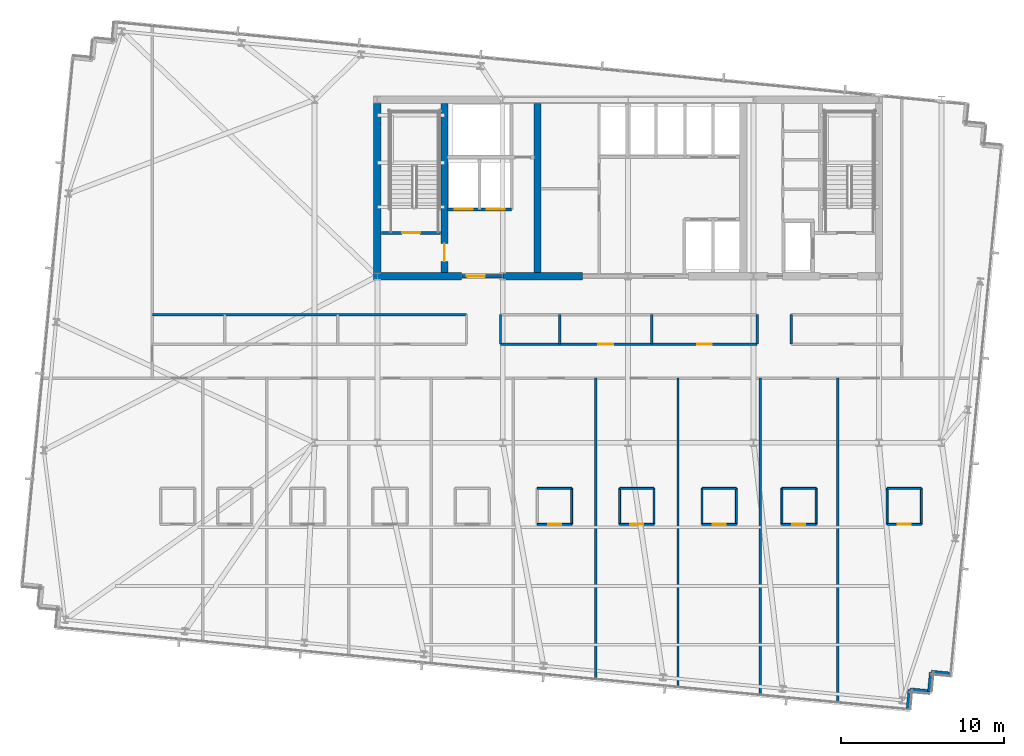
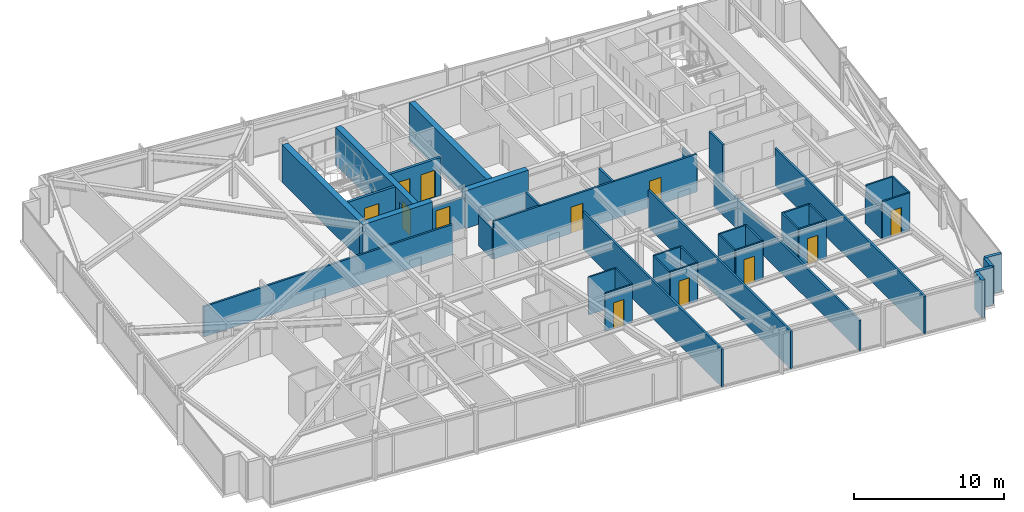
# One storey, part 30 of 37: 42 walls, 12 doors, 12 openings.
"""IFC4 building model written with IfcOpenShell, lengths in metres."""

from ifc_helpers import new_model, si_unit, direction, frame, frame_2d, origin, place, context, subcontext, project, spatial, rectangle, extrude, material, layer, layer_set, type_object, element, fill, save


model = new_model("IFC4")

# Units and contexts
model_context = context("Model", 3, precision=1e-05, world=origin(), true_north=direction((0.0, 1.0)))
body_context = subcontext(model_context, "Body", "Model", "MODEL_VIEW")
ifc_project = project(units=[si_unit("LENGTHUNIT", "METRE"), si_unit("AREAUNIT", "SQUARE_METRE"), si_unit("VOLUMEUNIT", "CUBIC_METRE"), si_unit("PLANEANGLEUNIT", "RADIAN"), si_unit("MASSUNIT", "GRAM", prefix="KILO")], contexts=[model_context])

# Site, building, storey
site_placement = place(None, origin())
site = spatial("IfcSite", under=ifc_project, at=site_placement, CompositionType="ELEMENT")
building_placement = place(site_placement, origin())
building = spatial("IfcBuilding", under=site, at=building_placement, Name="Yelkora Congress Tower", CompositionType="ELEMENT")
storey_placement = place(building_placement, frame((0.0, 0.0, 182.0)))
storey = spatial("IfcBuildingStorey", under=building, at=storey_placement, Name="L50", CompositionType="ELEMENT", Elevation=182.0)

# Walls
ifc_material_1 = material(Name="Concrete C60/75", Category="concrete")
ifc_layer_1 = layer(ifc_material_1, 0.449951171875)
ifc_layer_set_1 = layer_set([ifc_layer_1], Name="Concrete C60/75")
wall_type_1 = type_object("IfcWallType", Name="WALL-CORE-INT-450", PredefinedType="SHEAR", material=ifc_layer_set_1)
wall_1_placement = place(storey_placement, frame((22.81494140625, 35.39990234375, 0.0), z_axis=(0.0, 0.0, 1.0), x_axis=(1.0, 0.0, 0.0)))
element("IfcWall", 1, at=wall_1_placement, inside=storey, type_object=wall_type_1, Name="L50 Rear Core South-West Shear Wall", PredefinedType="SHEAR", context=body_context, shape_type="SweptSolid", body=[
    extrude(rectangle(XDim=5.385009765625, YDim=0.449951171875, at=frame_2d((2.6923828125, 0.0))), origin(), (0.0, 0.0, 1.0), 3.080078125),
])
wall_2_placement = place(storey_placement, frame((30.719970703125, 35.39990234375, 0.0), z_axis=(0.0, 0.0, 1.0), x_axis=(1.0, 0.0, 0.0)))
element("IfcWall", 2, at=wall_2_placement, inside=storey, type_object=wall_type_1, Name="L50 Rear Core South-Center Shear Pier", PredefinedType="SHEAR", context=body_context, shape_type="SweptSolid", body=[
    extrude(rectangle(XDim=4.880126953125, YDim=0.449951171875, at=frame_2d((2.43994140625, 0.0))), origin(), (0.0, 0.0, 1.0), 3.080078125),
])
wall_3_placement = place(storey_placement, frame((23.0400390625, 35.625, 0.0), z_axis=(0.0, 0.0, 1.0), x_axis=(0.0, 1.0, 0.0)))
element("IfcWall", 3, at=wall_3_placement, inside=storey, type_object=wall_type_1, Name="L50 Rear Core Cross Shear Wall W", PredefinedType="SHEAR", context=body_context, shape_type="SweptSolid", body=[
    extrude(rectangle(XDim=10.35009765625, YDim=0.449951171875, at=frame_2d((5.175048828125, 0.0))), origin(), (0.0, 0.0, 1.0), 3.080078125),
])

# Wall, opening, door
wall_4_placement = place(storey_placement, frame((27.14990234375, 35.625, 0.0), z_axis=(0.0, 0.0, 1.0), x_axis=(0.0, 1.0, 0.0)))
wall_4 = element("IfcWall", 4, at=wall_4_placement, inside=storey, type_object=wall_type_1, Name="L50 Rear Core Cross Shear Wall C1", PredefinedType="SHEAR", context=body_context, shape_type="SweptSolid", body=[
    extrude(rectangle(XDim=10.35009765625, YDim=0.449951171875, at=frame_2d((5.175048828125, 0.0))), origin(), (0.0, 0.0, 1.0), 3.080078125),
])
opening_1_placement = place(wall_4_placement, frame((0.675048828125, 0.0, 0.0)))
opening_1 = element("IfcOpeningElement", 5, at=opening_1_placement, cuts=wall_4, Name="Opening DR-110F9", PredefinedType="OPENING", context=body_context, shape_type="SweptSolid", body=[
    extrude(rectangle(XDim=1.10009765625, YDim=2.14990234375, at=frame_2d((0.550048828125, 1.074951171875))), frame((0.0, 0.23486328125, 0.0), z_axis=(0.0, -1.0, 0.0), x_axis=(1.0, 0.0, 0.0)), (0.0, 0.0, 1.0), 0.469970703125),
])
ifc_material_2 = material(Name="Galvanised steel fire door leaf", Category="steel")
door_type_1 = type_object("IfcDoorType", Name="DOOR-FD90-1100", OperationType="NOTDEFINED", PredefinedType="DOOR", material=ifc_material_2)
door_1_placement = place(opening_1_placement, origin())
door_1 = element("IfcDoor", 6, at=door_1_placement, inside=storey, type_object=door_type_1, Name="L50 Firefighting Stair Transfer Door", OperationType="SINGLE_SWING_LEFT", OverallHeight=2.14990234375, OverallWidth=1.10009765625, PredefinedType="DOOR", context=body_context, shape_type="SweptSolid", body=[
    extrude(rectangle(XDim=1.10009765625, YDim=2.14990234375, at=frame_2d((0.550048828125, 1.074951171875))), frame((0.0, 0.02490234375, 0.0), z_axis=(0.0, -1.0, 0.0), x_axis=(1.0, 0.0, 0.0)), (0.0, 0.0, 1.0), 0.050048828125),
])
fill(opening_1, door_1)

# Walls
wall_5_placement = place(storey_placement, frame((32.85009765625, 35.625, 0.0), z_axis=(0.0, 0.0, 1.0), x_axis=(0.0, 1.0, 0.0)))
element("IfcWall", 7, at=wall_5_placement, inside=storey, type_object=wall_type_1, Name="L50 Rear Core Cross Shear Wall C2", PredefinedType="SHEAR", context=body_context, shape_type="SweptSolid", body=[
    extrude(rectangle(XDim=10.35009765625, YDim=0.449951171875, at=frame_2d((5.175048828125, 0.0))), origin(), (0.0, 0.0, 1.0), 3.080078125),
])
ifc_material_3 = material(Name="Concrete C40/50", Category="concrete")
ifc_layer_2 = layer(ifc_material_3, 0.239990234375)
ifc_layer_set_2 = layer_set([ifc_layer_2], Name="Concrete C40/50")
wall_type_2 = type_object("IfcWallType", Name="WALL-EXT-LIMESTONE-240", PredefinedType="SOLIDWALL", material=ifc_layer_set_2)
wall_6_placement = place(storey_placement, frame((58.160400390625, 11.033203125, 0.0), z_axis=(0.0, 0.0, 1.0), x_axis=(-0.995398960025, 0.095817067274, 0.0)))
element("IfcWall", 8, at=wall_6_placement, inside=storey, type_object=wall_type_2, Name="L50 Serrated Corner Limestone Pier 16", PredefinedType="SOLIDWALL", context=body_context, shape_type="SweptSolid", body=[
    extrude(rectangle(XDim=1.2001953125, YDim=0.239990234375, at=frame_2d((0.60009765625, 0.0))), origin(), (0.0, 0.0, 1.0), 3.080078125),
])
for number, where, z_axis, x_axis, name in (
    (9, (56.9658203125, 11.148193359375, 0.0), (0.0, 0.0, 1.0), (-0.095836473879, -0.995397091755, 0.0), "L50 Serrated Corner Limestone Pier 17"),
    (10, (56.850830078125, 9.953857421875, 0.0), (0.0, 0.0, 1.0), (-0.995397091755, 0.095836473879, 0.0), "L50 Serrated Corner Limestone Pier 18"),
):
    element("IfcWall", number, at=place(storey_placement, frame(where, z_axis=z_axis, x_axis=x_axis)), inside=storey, type_object=wall_type_2, Name=name, PredefinedType="SOLIDWALL", context=body_context, shape_type="SweptSolid", body=[
        extrude(rectangle(XDim=1.199951171875, YDim=0.239990234375, at=frame_2d((0.60009765625, 0.0))), origin(), (0.0, 0.0, 1.0), 3.080078125),
    ])
wall_7_placement = place(storey_placement, frame((55.656494140625, 10.06884765625, 0.0), z_axis=(0.0, 0.0, 1.0), x_axis=(-0.095817067274, -0.995398960025, 0.0)))
element("IfcWall", 11, at=wall_7_placement, inside=storey, type_object=wall_type_2, Name="L50 Serrated Corner Limestone Pier 19", PredefinedType="SOLIDWALL", context=body_context, shape_type="SweptSolid", body=[
    extrude(rectangle(XDim=1.2001953125, YDim=0.239990234375, at=frame_2d((0.60009765625, 0.0))), origin(), (0.0, 0.0, 1.0), 3.080078125),
])
ifc_material_4 = material(Name="Moisture-resistant gypsum partition", Category="gypsum")
ifc_layer_3 = layer(ifc_material_4, 0.1201171875)
ifc_layer_set_3 = layer_set([ifc_layer_3], Name="Moisture-resistant gypsum partition")
wall_type_3 = type_object("IfcWallType", Name="WALL-INT-120-NR", PredefinedType="PARTITIONING", material=ifc_layer_set_3)
wall_8_placement = place(storey_placement, frame((32.842041015625, 22.39990234375, 0.0), z_axis=(0.0, 0.0, 1.0), x_axis=(1.0, 0.0, 0.0)))
element("IfcWall", 12, at=wall_8_placement, inside=storey, type_object=wall_type_3, Name="L50 Partition Wall 52", PredefinedType="PARTITIONING", context=body_context, shape_type="SweptSolid", body=[
    extrude(rectangle(XDim=2.099853515625, YDim=0.1201171875, at=frame_2d((1.0498046875, 0.0))), origin(), (0.0, 0.0, 1.0), 3.080078125),
])
wall_9_placement = place(storey_placement, frame((34.94189453125, 20.199951171875, 0.0), z_axis=(0.0, 0.0, 1.0), x_axis=(0.0, 1.0, 0.0)))
element("IfcWall", 13, at=wall_9_placement, inside=storey, type_object=wall_type_3, Name="L50 Partition Wall 54", PredefinedType="PARTITIONING", context=body_context, shape_type="SweptSolid", body=[
    extrude(rectangle(XDim=2.199951171875, YDim=0.1201171875, at=frame_2d((1.10009765625, 0.0))), origin(), (0.0, 0.0, 1.0), 3.080078125),
])

# Wall, opening, door
wall_10_placement = place(storey_placement, frame((32.842041015625, 20.199951171875, 0.0), z_axis=(0.0, 0.0, 1.0), x_axis=(1.0, 0.0, 0.0)))
wall_10 = element("IfcWall", 14, at=wall_10_placement, inside=storey, type_object=wall_type_3, Name="L50 Partition Wall 55", PredefinedType="PARTITIONING", context=body_context, shape_type="SweptSolid", body=[
    extrude(rectangle(XDim=2.099853515625, YDim=0.1201171875, at=frame_2d((1.0498046875, 0.0))), origin(), (0.0, 0.0, 1.0), 3.080078125),
])
opening_2_placement = place(wall_10_placement, frame((0.64990234375, 0.0, 0.0)))
opening_2 = element("IfcOpeningElement", 15, at=opening_2_placement, cuts=wall_10, Name="Opening DR-080B", PredefinedType="OPENING", context=body_context, shape_type="SweptSolid", body=[
    extrude(rectangle(XDim=0.800048828125, YDim=2.10009765625, at=frame_2d((0.39990234375, 1.050048828125))), frame((0.0, 0.070068359375, 0.0), z_axis=(0.0, -1.0, 0.0), x_axis=(1.0, 0.0, 0.0)), (0.0, 0.0, 1.0), 0.14013671875),
])
ifc_material_5 = material(Name="Moisture-sealed en-suite timber door", Category="wood")
door_type_2 = type_object("IfcDoorType", Name="DOOR-BATH-800", OperationType="NOTDEFINED", PredefinedType="DOOR", material=ifc_material_5)
door_2_placement = place(opening_2_placement, origin())
door_2 = element("IfcDoor", 16, at=door_2_placement, inside=storey, type_object=door_type_2, Name="L50 En-suite Door 6", OperationType="SINGLE_SWING_LEFT", OverallHeight=2.10009765625, OverallWidth=0.800048828125, PredefinedType="DOOR", context=body_context, shape_type="SweptSolid", body=[
    extrude(rectangle(XDim=0.800048828125, YDim=2.10009765625, at=frame_2d((0.39990234375, 1.050048828125))), frame((0.0, 0.02490234375, 0.0), z_axis=(0.0, -1.0, 0.0), x_axis=(1.0, 0.0, 0.0)), (0.0, 0.0, 1.0), 0.050048828125),
])
fill(opening_2, door_2)

# Walls
wall_11_placement = place(storey_placement, frame((37.883056640625, 22.39990234375, 0.0), z_axis=(0.0, 0.0, 1.0), x_axis=(1.0, 0.0, 0.0)))
element("IfcWall", 17, at=wall_11_placement, inside=storey, type_object=wall_type_3, Name="L50 Partition Wall 57", PredefinedType="PARTITIONING", context=body_context, shape_type="SweptSolid", body=[
    extrude(rectangle(XDim=2.099853515625, YDim=0.1201171875, at=frame_2d((1.0498046875, 0.0))), origin(), (0.0, 0.0, 1.0), 3.080078125),
])
for number, where, z_axis, x_axis, name in (
    (18, (37.883056640625, 20.199951171875, 0.0), (0.0, 0.0, 1.0), (0.0, 1.0, 0.0), "L50 Partition Wall 58"),
    (19, (39.98291015625, 20.199951171875, 0.0), (0.0, 0.0, 1.0), (0.0, 1.0, 0.0), "L50 Partition Wall 59"),
):
    element("IfcWall", number, at=place(storey_placement, frame(where, z_axis=z_axis, x_axis=x_axis)), inside=storey, type_object=wall_type_3, Name=name, PredefinedType="PARTITIONING", context=body_context, shape_type="SweptSolid", body=[
        extrude(rectangle(XDim=2.199951171875, YDim=0.1201171875, at=frame_2d((1.10009765625, 0.0))), origin(), (0.0, 0.0, 1.0), 3.080078125),
    ])

# Wall, opening, door
wall_12_placement = place(storey_placement, frame((37.883056640625, 20.199951171875, 0.0), z_axis=(0.0, 0.0, 1.0), x_axis=(1.0, 0.0, 0.0)))
wall_12 = element("IfcWall", 20, at=wall_12_placement, inside=storey, type_object=wall_type_3, Name="L50 Partition Wall 60", PredefinedType="PARTITIONING", context=body_context, shape_type="SweptSolid", body=[
    extrude(rectangle(XDim=2.099853515625, YDim=0.1201171875, at=frame_2d((1.0498046875, 0.0))), origin(), (0.0, 0.0, 1.0), 3.080078125),
])
opening_3_placement = place(wall_12_placement, frame((0.64990234375, 0.0, 0.0)))
opening_3 = element("IfcOpeningElement", 21, at=opening_3_placement, cuts=wall_12, Name="Opening DR-080B", PredefinedType="OPENING", context=body_context, shape_type="SweptSolid", body=[
    extrude(rectangle(XDim=0.800048828125, YDim=2.10009765625, at=frame_2d((0.39990234375, 1.050048828125))), frame((0.0, 0.070068359375, 0.0), z_axis=(0.0, -1.0, 0.0), x_axis=(1.0, 0.0, 0.0)), (0.0, 0.0, 1.0), 0.14013671875),
])
door_3_placement = place(opening_3_placement, origin())
door_3 = element("IfcDoor", 22, at=door_3_placement, inside=storey, type_object=door_type_2, Name="L50 En-suite Door 7", OperationType="SINGLE_SWING_RIGHT", OverallHeight=2.10009765625, OverallWidth=0.800048828125, PredefinedType="DOOR", context=body_context, shape_type="SweptSolid", body=[
    extrude(rectangle(XDim=0.800048828125, YDim=2.10009765625, at=frame_2d((0.39990234375, 1.050048828125))), frame((0.0, 0.02490234375, 0.0), z_axis=(0.0, -1.0, 0.0), x_axis=(1.0, 0.0, 0.0)), (0.0, 0.0, 1.0), 0.050048828125),
])
fill(opening_3, door_3)

# Walls
wall_13_placement = place(storey_placement, frame((42.924072265625, 22.39990234375, 0.0), z_axis=(0.0, 0.0, 1.0), x_axis=(1.0, 0.0, 0.0)))
element("IfcWall", 23, at=wall_13_placement, inside=storey, type_object=wall_type_3, Name="L50 Partition Wall 62", PredefinedType="PARTITIONING", context=body_context, shape_type="SweptSolid", body=[
    extrude(rectangle(XDim=2.099853515625, YDim=0.1201171875, at=frame_2d((1.0498046875, 0.0))), origin(), (0.0, 0.0, 1.0), 3.080078125),
])
for number, where, z_axis, x_axis, name in (
    (24, (42.924072265625, 20.199951171875, 0.0), (0.0, 0.0, 1.0), (0.0, 1.0, 0.0), "L50 Partition Wall 63"),
    (25, (45.02392578125, 20.199951171875, 0.0), (0.0, 0.0, 1.0), (0.0, 1.0, 0.0), "L50 Partition Wall 64"),
):
    element("IfcWall", number, at=place(storey_placement, frame(where, z_axis=z_axis, x_axis=x_axis)), inside=storey, type_object=wall_type_3, Name=name, PredefinedType="PARTITIONING", context=body_context, shape_type="SweptSolid", body=[
        extrude(rectangle(XDim=2.199951171875, YDim=0.1201171875, at=frame_2d((1.10009765625, 0.0))), origin(), (0.0, 0.0, 1.0), 3.080078125),
    ])

# Wall, opening, door
wall_14_placement = place(storey_placement, frame((42.924072265625, 20.199951171875, 0.0), z_axis=(0.0, 0.0, 1.0), x_axis=(1.0, 0.0, 0.0)))
wall_14 = element("IfcWall", 26, at=wall_14_placement, inside=storey, type_object=wall_type_3, Name="L50 Partition Wall 65", PredefinedType="PARTITIONING", context=body_context, shape_type="SweptSolid", body=[
    extrude(rectangle(XDim=2.099853515625, YDim=0.1201171875, at=frame_2d((1.0498046875, 0.0))), origin(), (0.0, 0.0, 1.0), 3.080078125),
])
opening_4_placement = place(wall_14_placement, frame((0.64990234375, 0.0, 0.0)))
opening_4 = element("IfcOpeningElement", 27, at=opening_4_placement, cuts=wall_14, Name="Opening DR-080B", PredefinedType="OPENING", context=body_context, shape_type="SweptSolid", body=[
    extrude(rectangle(XDim=0.800048828125, YDim=2.10009765625, at=frame_2d((0.39990234375, 1.050048828125))), frame((0.0, 0.070068359375, 0.0), z_axis=(0.0, -1.0, 0.0), x_axis=(1.0, 0.0, 0.0)), (0.0, 0.0, 1.0), 0.14013671875),
])
door_4_placement = place(opening_4_placement, origin())
door_4 = element("IfcDoor", 28, at=door_4_placement, inside=storey, type_object=door_type_2, Name="L50 En-suite Door 8", OperationType="SINGLE_SWING_LEFT", OverallHeight=2.10009765625, OverallWidth=0.800048828125, PredefinedType="DOOR", context=body_context, shape_type="SweptSolid", body=[
    extrude(rectangle(XDim=0.800048828125, YDim=2.10009765625, at=frame_2d((0.39990234375, 1.050048828125))), frame((0.0, 0.02490234375, 0.0), z_axis=(0.0, -1.0, 0.0), x_axis=(1.0, 0.0, 0.0)), (0.0, 0.0, 1.0), 0.050048828125),
])
fill(opening_4, door_4)

# Walls
wall_15_placement = place(storey_placement, frame((47.81201171875, 22.39990234375, 0.0), z_axis=(0.0, 0.0, 1.0), x_axis=(1.0, 0.0, 0.0)))
element("IfcWall", 29, at=wall_15_placement, inside=storey, type_object=wall_type_3, Name="L50 Partition Wall 67", PredefinedType="PARTITIONING", context=body_context, shape_type="SweptSolid", body=[
    extrude(rectangle(XDim=2.10009765625, YDim=0.1201171875, at=frame_2d((1.050048828125, 0.0))), origin(), (0.0, 0.0, 1.0), 3.080078125),
])
for number, where, z_axis, x_axis, name in (
    (30, (47.81201171875, 20.199951171875, 0.0), (0.0, 0.0, 1.0), (0.0, 1.0, 0.0), "L50 Partition Wall 68"),
    (31, (49.912109375, 20.199951171875, 0.0), (0.0, 0.0, 1.0), (0.0, 1.0, 0.0), "L50 Partition Wall 69"),
):
    element("IfcWall", number, at=place(storey_placement, frame(where, z_axis=z_axis, x_axis=x_axis)), inside=storey, type_object=wall_type_3, Name=name, PredefinedType="PARTITIONING", context=body_context, shape_type="SweptSolid", body=[
        extrude(rectangle(XDim=2.199951171875, YDim=0.1201171875, at=frame_2d((1.10009765625, 0.0))), origin(), (0.0, 0.0, 1.0), 3.080078125),
    ])

# Wall, opening, door
wall_16_placement = place(storey_placement, frame((47.81201171875, 20.199951171875, 0.0), z_axis=(0.0, 0.0, 1.0), x_axis=(1.0, 0.0, 0.0)))
wall_16 = element("IfcWall", 32, at=wall_16_placement, inside=storey, type_object=wall_type_3, Name="L50 Partition Wall 70", PredefinedType="PARTITIONING", context=body_context, shape_type="SweptSolid", body=[
    extrude(rectangle(XDim=2.10009765625, YDim=0.1201171875, at=frame_2d((1.050048828125, 0.0))), origin(), (0.0, 0.0, 1.0), 3.080078125),
])
opening_5_placement = place(wall_16_placement, frame((0.64990234375, 0.0, 0.0)))
opening_5 = element("IfcOpeningElement", 33, at=opening_5_placement, cuts=wall_16, Name="Opening DR-080B", PredefinedType="OPENING", context=body_context, shape_type="SweptSolid", body=[
    extrude(rectangle(XDim=0.800048828125, YDim=2.10009765625, at=frame_2d((0.39990234375, 1.050048828125))), frame((0.0, 0.070068359375, 0.0), z_axis=(0.0, -1.0, 0.0), x_axis=(1.0, 0.0, 0.0)), (0.0, 0.0, 1.0), 0.14013671875),
])
door_5_placement = place(opening_5_placement, origin())
door_5 = element("IfcDoor", 34, at=door_5_placement, inside=storey, type_object=door_type_2, Name="L50 En-suite Door 9", OperationType="SINGLE_SWING_RIGHT", OverallHeight=2.10009765625, OverallWidth=0.800048828125, PredefinedType="DOOR", context=body_context, shape_type="SweptSolid", body=[
    extrude(rectangle(XDim=0.800048828125, YDim=2.10009765625, at=frame_2d((0.39990234375, 1.050048828125))), frame((0.0, 0.02490234375, 0.0), z_axis=(0.0, -1.0, 0.0), x_axis=(1.0, 0.0, 0.0)), (0.0, 0.0, 1.0), 0.050048828125),
])
fill(opening_5, door_5)

# Walls
wall_17_placement = place(storey_placement, frame((54.260009765625, 22.39990234375, 0.0), z_axis=(0.0, 0.0, 1.0), x_axis=(1.0, 0.0, 0.0)))
element("IfcWall", 35, at=wall_17_placement, inside=storey, type_object=wall_type_3, Name="L50 Partition Wall 72", PredefinedType="PARTITIONING", context=body_context, shape_type="SweptSolid", body=[
    extrude(rectangle(XDim=2.10009765625, YDim=0.1201171875, at=frame_2d((1.050048828125, 0.0))), origin(), (0.0, 0.0, 1.0), 3.080078125),
])
wall_18_placement = place(storey_placement, frame((54.260009765625, 20.199951171875, 0.0), z_axis=(0.0, 0.0, 1.0), x_axis=(0.0, 1.0, 0.0)))
element("IfcWall", 36, at=wall_18_placement, inside=storey, type_object=wall_type_3, Name="L50 Partition Wall 73", PredefinedType="PARTITIONING", context=body_context, shape_type="SweptSolid", body=[
    extrude(rectangle(XDim=2.199951171875, YDim=0.1201171875, at=frame_2d((1.10009765625, 0.0))), origin(), (0.0, 0.0, 1.0), 2.47509765625),
])
wall_19_placement = place(storey_placement, frame((56.360107421875, 20.199951171875, 0.0), z_axis=(0.0, 0.0, 1.0), x_axis=(0.0, 1.0, 0.0)))
element("IfcWall", 37, at=wall_19_placement, inside=storey, type_object=wall_type_3, Name="L50 Partition Wall 74", PredefinedType="PARTITIONING", context=body_context, shape_type="SweptSolid", body=[
    extrude(rectangle(XDim=2.199951171875, YDim=0.1201171875, at=frame_2d((1.10009765625, 0.0))), origin(), (0.0, 0.0, 1.0), 3.080078125),
])

# Wall, opening, door
wall_20_placement = place(storey_placement, frame((54.260009765625, 20.199951171875, 0.0), z_axis=(0.0, 0.0, 1.0), x_axis=(1.0, 0.0, 0.0)))
wall_20 = element("IfcWall", 38, at=wall_20_placement, inside=storey, type_object=wall_type_3, Name="L50 Partition Wall 75", PredefinedType="PARTITIONING", context=body_context, shape_type="SweptSolid", body=[
    extrude(rectangle(XDim=2.10009765625, YDim=0.1201171875, at=frame_2d((1.050048828125, 0.0))), origin(), (0.0, 0.0, 1.0), 3.080078125),
])
opening_6_placement = place(wall_20_placement, frame((0.64990234375, 0.0, 0.0)))
opening_6 = element("IfcOpeningElement", 39, at=opening_6_placement, cuts=wall_20, Name="Opening DR-080B", PredefinedType="OPENING", context=body_context, shape_type="SweptSolid", body=[
    extrude(rectangle(XDim=0.800048828125, YDim=2.10009765625, at=frame_2d((0.39990234375, 1.050048828125))), frame((0.0, 0.070068359375, 0.0), z_axis=(0.0, -1.0, 0.0), x_axis=(1.0, 0.0, 0.0)), (0.0, 0.0, 1.0), 0.14013671875),
])
door_6_placement = place(opening_6_placement, origin())
door_6 = element("IfcDoor", 40, at=door_6_placement, inside=storey, type_object=door_type_2, Name="L50 En-suite Door 10", OperationType="SINGLE_SWING_LEFT", OverallHeight=2.10009765625, OverallWidth=0.800048828125, PredefinedType="DOOR", context=body_context, shape_type="SweptSolid", body=[
    extrude(rectangle(XDim=0.800048828125, YDim=2.10009765625, at=frame_2d((0.39990234375, 1.050048828125))), frame((0.0, 0.02490234375, 0.0), z_axis=(0.0, -1.0, 0.0), x_axis=(1.0, 0.0, 0.0)), (0.0, 0.0, 1.0), 0.050048828125),
])
fill(opening_6, door_6)

# Walls
ifc_material_6 = material(Name="Acoustic metal-stud gypsum partition", Category="gypsum")
ifc_layer_4 = layer(ifc_material_6, 0.14990234375)
ifc_layer_set_4 = layer_set([ifc_layer_4], Name="Acoustic metal-stud gypsum partition")
wall_type_4 = type_object("IfcWallType", Name="WALL-INT-150-NR", PredefinedType="PARTITIONING", material=ifc_layer_set_4)
for number, where, z_axis, x_axis, name in (
    (41, (30.580078125, 31.22998046875, 0.0), (0.0, 0.0, 1.0), (0.0, 1.0, 0.0), "L50 Partition Wall 81"),
    (42, (46.300048828125, 31.22998046875, 0.0), (0.0, 0.0, 1.0), (0.0, 1.0, 0.0), "L50 Partition Wall 82"),
):
    element("IfcWall", number, at=place(storey_placement, frame(where, z_axis=z_axis, x_axis=x_axis)), inside=storey, type_object=wall_type_4, Name=name, PredefinedType="PARTITIONING", context=body_context, shape_type="SweptSolid", body=[
        extrude(rectangle(XDim=1.820068359375, YDim=0.14990234375, at=frame_2d((0.91015625, 0.0))), origin(), (0.0, 0.0, 1.0), 2.47509765625),
    ])
wall_21_placement = place(storey_placement, frame((48.3798828125, 31.22998046875, 0.0), z_axis=(0.0, 0.0, 1.0), x_axis=(0.0, 1.0, 0.0)))
element("IfcWall", 43, at=wall_21_placement, inside=storey, type_object=wall_type_4, Name="L50 Partition Wall 83", PredefinedType="PARTITIONING", context=body_context, shape_type="SweptSolid", body=[
    extrude(rectangle(XDim=1.820068359375, YDim=0.14990234375, at=frame_2d((0.91015625, 0.0))), origin(), (0.0, 0.0, 1.0), 3.080078125),
])
wall_22_placement = place(storey_placement, frame((9.260009765625, 33.050048828125, 0.0), z_axis=(0.0, 0.0, 1.0), x_axis=(1.0, 0.0, 0.0)))
element("IfcWall", 44, at=wall_22_placement, inside=storey, type_object=wall_type_4, Name="L50 Partition Wall 84", PredefinedType="PARTITIONING", context=body_context, shape_type="SweptSolid", body=[
    extrude(rectangle(XDim=19.239990234375, YDim=0.14990234375, at=frame_2d((9.6201171875, 0.0))), origin(), (0.0, 0.0, 1.0), 2.47509765625),
])
for number, where, z_axis, x_axis, name in (
    (45, (34.200927734375, 31.22998046875, 0.0), (0.0, 0.0, 1.0), (0.0, 1.0, 0.0), "L50 Partition Wall 90"),
    (46, (39.85302734375, 31.22998046875, 0.0), (0.0, 0.0, 1.0), (0.0, 1.0, 0.0), "L50 Partition Wall 91"),
):
    element("IfcWall", number, at=place(storey_placement, frame(where, z_axis=z_axis, x_axis=x_axis)), inside=storey, type_object=wall_type_4, Name=name, PredefinedType="PARTITIONING", context=body_context, shape_type="SweptSolid", body=[
        extrude(rectangle(XDim=1.820068359375, YDim=0.14990234375, at=frame_2d((0.91015625, 0.0))), origin(), (0.0, 0.0, 1.0), 3.080078125),
    ])

# Wall, openings, doors
wall_23_placement = place(storey_placement, frame((30.590087890625, 31.22998046875, 0.0), z_axis=(0.0, 0.0, 1.0), x_axis=(1.0, 0.0, 0.0)))
wall_23 = element("IfcWall", 47, at=wall_23_placement, inside=storey, type_object=wall_type_4, Name="L50 Partition Wall 92", PredefinedType="PARTITIONING", context=body_context, shape_type="SweptSolid", body=[
    extrude(rectangle(XDim=15.699951171875, YDim=0.14990234375, at=frame_2d((7.85009765625, 0.0))), origin(), (0.0, 0.0, 1.0), 3.080078125),
])
opening_7_placement = place(wall_23_placement, frame((5.987060546875, 0.0, 0.0)))
opening_7 = element("IfcOpeningElement", 48, at=opening_7_placement, cuts=wall_23, Name="Opening DR-090N", PredefinedType="OPENING", context=body_context, shape_type="SweptSolid", body=[
    extrude(rectangle(XDim=0.89990234375, YDim=2.14990234375, at=frame_2d((0.449951171875, 1.074951171875))), frame((0.0, 0.0849609375, 0.0), z_axis=(0.0, -1.0, 0.0), x_axis=(1.0, 0.0, 0.0)), (0.0, 0.0, 1.0), 0.169921875),
])
opening_8_placement = place(wall_23_placement, frame((12.031494140625, 0.0, 0.0)))
opening_8 = element("IfcOpeningElement", 49, at=opening_8_placement, cuts=wall_23, Name="Opening DR-090N", PredefinedType="OPENING", context=body_context, shape_type="SweptSolid", body=[
    extrude(rectangle(XDim=0.89990234375, YDim=2.14990234375, at=frame_2d((0.449951171875, 1.074951171875))), frame((0.0, 0.0849609375, 0.0), z_axis=(0.0, -1.0, 0.0), x_axis=(1.0, 0.0, 0.0)), (0.0, 0.0, 1.0), 0.169921875),
])
ifc_material_7 = material(Name="Moisture-resistant laminate door leaf", Category="wood")
door_type_3 = type_object("IfcDoorType", Name="DOOR-INT-900", OperationType="NOTDEFINED", PredefinedType="DOOR", material=ifc_material_7)
door_7_placement = place(opening_7_placement, origin())
door_7 = element("IfcDoor", 50, at=door_7_placement, inside=storey, type_object=door_type_3, Name="L50 Staff Operations Room Door", OperationType="SINGLE_SWING_RIGHT", OverallHeight=2.14990234375, OverallWidth=0.89990234375, PredefinedType="DOOR", context=body_context, shape_type="SweptSolid", body=[
    extrude(rectangle(XDim=0.89990234375, YDim=2.14990234375, at=frame_2d((0.449951171875, 1.074951171875))), frame((0.0, 0.02490234375, 0.0), z_axis=(0.0, -1.0, 0.0), x_axis=(1.0, 0.0, 0.0)), (0.0, 0.0, 1.0), 0.050048828125),
])
fill(opening_7, door_7)
door_8_placement = place(opening_8_placement, origin())
door_8 = element("IfcDoor", 51, at=door_8_placement, inside=storey, type_object=door_type_3, Name="L50 Security Control Room Door", OperationType="SINGLE_SWING_LEFT", OverallHeight=2.14990234375, OverallWidth=0.89990234375, PredefinedType="DOOR", context=body_context, shape_type="SweptSolid", body=[
    extrude(rectangle(XDim=0.89990234375, YDim=2.14990234375, at=frame_2d((0.449951171875, 1.074951171875))), frame((0.0, 0.02490234375, 0.0), z_axis=(0.0, -1.0, 0.0), x_axis=(1.0, 0.0, 0.0)), (0.0, 0.0, 1.0), 0.050048828125),
])
fill(opening_8, door_8)

# Walls
ifc_material_8 = material(Name="Twin-stud fire-rated gypsum partition", Category="gypsum")
ifc_layer_5 = layer(ifc_material_8, 0.14990234375)
ifc_layer_set_5 = layer_set([ifc_layer_5], Name="Twin-stud fire-rated gypsum partition")
wall_type_5 = type_object("IfcWallType", Name="WALL-INT-150-R60", PredefinedType="PARTITIONING", material=ifc_layer_set_5)
wall_24_placement = place(storey_placement, frame((36.4130859375, 10.656005859375, 0.0), z_axis=(0.0, 0.0, 1.0), x_axis=(0.0, 1.0, 0.0)))
element("IfcWall", 52, at=wall_24_placement, inside=storey, type_object=wall_type_5, Name="L50 Partition Wall 61", PredefinedType="PARTITIONING", context=body_context, shape_type="SweptSolid", body=[
    extrude(rectangle(XDim=18.513916015625, YDim=0.14990234375, at=frame_2d((9.2568359375, 0.0))), origin(), (0.0, 0.0, 1.0), 3.080078125),
])
wall_25_placement = place(storey_placement, frame((41.4541015625, 10.17041015625, 0.0), z_axis=(0.0, 0.0, 1.0), x_axis=(0.0, 1.0, 0.0)))
element("IfcWall", 53, at=wall_25_placement, inside=storey, type_object=wall_type_5, Name="L50 Partition Wall 66", PredefinedType="PARTITIONING", context=body_context, shape_type="SweptSolid", body=[
    extrude(rectangle(XDim=18.99951171875, YDim=0.14990234375, at=frame_2d((9.499755859375, 0.0))), origin(), (0.0, 0.0, 1.0), 3.080078125),
])
wall_26_placement = place(storey_placement, frame((46.493896484375, 9.685302734375, 0.0), z_axis=(0.0, 0.0, 1.0), x_axis=(0.0, 1.0, 0.0)))
element("IfcWall", 54, at=wall_26_placement, inside=storey, type_object=wall_type_5, Name="L50 Partition Wall 71", PredefinedType="PARTITIONING", context=body_context, shape_type="SweptSolid", body=[
    extrude(rectangle(XDim=19.484619140625, YDim=0.14990234375, at=frame_2d((9.7421875, 0.0))), origin(), (0.0, 0.0, 1.0), 2.47509765625),
])
wall_27_placement = place(storey_placement, frame((51.22998046875, 9.22900390625, 0.0), z_axis=(0.0, 0.0, 1.0), x_axis=(0.0, 1.0, 0.0)))
element("IfcWall", 55, at=wall_27_placement, inside=storey, type_object=wall_type_5, Name="L50 Partition Wall 76", PredefinedType="PARTITIONING", context=body_context, shape_type="SweptSolid", body=[
    extrude(rectangle(XDim=19.94091796875, YDim=0.14990234375, at=frame_2d((9.970458984375, 0.0))), origin(), (0.0, 0.0, 1.0), 3.080078125),
])

# Wall, opening, door
ifc_material_9 = material(Name="Autoclaved aerated concrete blockwork", Category="masonry")
ifc_layer_6 = layer(ifc_material_9, 0.199951171875)
ifc_layer_set_6 = layer_set([ifc_layer_6], Name="Autoclaved aerated concrete blockwork")
wall_type_6 = type_object("IfcWallType", Name="WALL-INT-200-R120", PredefinedType="PARTITIONING", material=ifc_layer_set_6)
wall_28_placement = place(storey_placement, frame((23.300048828125, 38.050048828125, 0.0), z_axis=(0.0, 0.0, 1.0), x_axis=(1.0, 0.0, 0.0)))
wall_28 = element("IfcWall", 56, at=wall_28_placement, inside=storey, type_object=wall_type_6, Name="L50 Stair ST-01 Enclosure Wall", PredefinedType="PARTITIONING", context=body_context, shape_type="SweptSolid", body=[
    extrude(rectangle(XDim=3.619873046875, YDim=0.199951171875, at=frame_2d((1.81005859375, 0.0))), origin(), (0.0, 0.0, 1.0), 3.080078125),
])
opening_9_placement = place(wall_28_placement, frame((1.260009765625, 0.0, 0.0)))
opening_9 = element("IfcOpeningElement", 57, at=opening_9_placement, cuts=wall_28, Name="Opening DR-110F9", PredefinedType="OPENING", context=body_context, shape_type="SweptSolid", body=[
    extrude(rectangle(XDim=1.10009765625, YDim=2.14990234375, at=frame_2d((0.550048828125, 1.074951171875))), frame((0.0, 0.10986328125, 0.0), z_axis=(0.0, -1.0, 0.0), x_axis=(1.0, 0.0, 0.0)), (0.0, 0.0, 1.0), 0.219970703125),
])
door_9_placement = place(opening_9_placement, origin())
door_9 = element("IfcDoor", 58, at=door_9_placement, inside=storey, type_object=door_type_1, Name="L50 Stair ST-01 Entry Door", OperationType="SINGLE_SWING_LEFT", OverallHeight=2.14990234375, OverallWidth=1.10009765625, PredefinedType="DOOR", context=body_context, shape_type="SweptSolid", body=[
    extrude(rectangle(XDim=1.10009765625, YDim=2.14990234375, at=frame_2d((0.550048828125, 1.074951171875))), frame((0.0, 0.02490234375, 0.0), z_axis=(0.0, -1.0, 0.0), x_axis=(1.0, 0.0, 0.0)), (0.0, 0.0, 1.0), 0.050048828125),
])
fill(opening_9, door_9)

wall_29_placement = place(storey_placement, frame((28.219970703125, 35.39990234375, 0.0), z_axis=(0.0, 0.0, 1.0), x_axis=(1.0, 0.0, 0.0)))
wall_29 = element("IfcWall", 59, at=wall_29_placement, inside=storey, type_object=wall_type_6, Name="L50 Firefighting Lobby South Wall", PredefinedType="PARTITIONING", context=body_context, shape_type="SweptSolid", body=[
    extrude(rectangle(XDim=2.5, YDim=0.199951171875, at=frame_2d((1.25, 0.0))), origin(), (0.0, 0.0, 1.0), 2.47509765625),
])
opening_10_placement = place(wall_29_placement, frame((0.300048828125, 0.0, 0.0)))
opening_10 = element("IfcOpeningElement", 60, at=opening_10_placement, cuts=wall_29, Name="Opening DR-110F9", PredefinedType="OPENING", context=body_context, shape_type="SweptSolid", body=[
    extrude(rectangle(XDim=1.10009765625, YDim=2.14990234375, at=frame_2d((0.550048828125, 1.074951171875))), frame((0.0, 0.10986328125, 0.0), z_axis=(0.0, -1.0, 0.0), x_axis=(1.0, 0.0, 0.0)), (0.0, 0.0, 1.0), 0.219970703125),
])
door_10_placement = place(opening_10_placement, origin())
door_10 = element("IfcDoor", 61, at=door_10_placement, inside=storey, type_object=door_type_1, Name="L50 Firefighting Lobby Corridor Door", OperationType="SINGLE_SWING_RIGHT", OverallHeight=2.14990234375, OverallWidth=1.10009765625, PredefinedType="DOOR", context=body_context, shape_type="SweptSolid", body=[
    extrude(rectangle(XDim=1.10009765625, YDim=2.14990234375, at=frame_2d((0.550048828125, 1.074951171875))), frame((0.0, 0.02490234375, 0.0), z_axis=(0.0, -1.0, 0.0), x_axis=(1.0, 0.0, 0.0)), (0.0, 0.0, 1.0), 0.050048828125),
])
fill(opening_10, door_10)

# Wall, openings, doors
wall_30_placement = place(storey_placement, frame((27.320068359375, 39.47998046875, 0.0), z_axis=(0.0, 0.0, 1.0), x_axis=(1.0, 0.0, 0.0)))
wall_30 = element("IfcWall", 62, at=wall_30_placement, inside=storey, type_object=wall_type_6, Name="L50 Firefighting Lift Front Wall", PredefinedType="PARTITIONING", context=body_context, shape_type="SweptSolid", body=[
    extrude(rectangle(XDim=3.93994140625, YDim=0.199951171875, at=frame_2d((1.969970703125, 0.0))), origin(), (0.0, 0.0, 1.0), 3.080078125),
])
opening_11_placement = place(wall_30_placement, frame((0.449951171875, 0.0, 0.0)))
opening_11 = element("IfcOpeningElement", 63, at=opening_11_placement, cuts=wall_30, Name="Opening LD-FF11", PredefinedType="OPENING", context=body_context, shape_type="SweptSolid", body=[
    extrude(rectangle(XDim=1.10009765625, YDim=2.199951171875, at=frame_2d((0.550048828125, 1.10009765625))), frame((0.0, 0.10986328125, 0.0), z_axis=(0.0, -1.0, 0.0), x_axis=(1.0, 0.0, 0.0)), (0.0, 0.0, 1.0), 0.219970703125),
])
opening_12_placement = place(wall_30_placement, frame((2.409912109375, 0.0, 0.0)))
opening_12 = element("IfcOpeningElement", 64, at=opening_12_placement, cuts=wall_30, Name="Opening LD-FF11", PredefinedType="OPENING", context=body_context, shape_type="SweptSolid", body=[
    extrude(rectangle(XDim=1.10009765625, YDim=2.199951171875, at=frame_2d((0.550048828125, 1.10009765625))), frame((0.0, 0.10986328125, 0.0), z_axis=(0.0, -1.0, 0.0), x_axis=(1.0, 0.0, 0.0)), (0.0, 0.0, 1.0), 0.219970703125),
])
ifc_material_10 = material(Name="Brushed stainless steel 316L landing door", Category="steel")
door_type_4 = type_object("IfcDoorType", Name="DOOR-LIFT-FF-1100", OperationType="DOUBLE_DOOR_SLIDING", PredefinedType="DOOR", material=ifc_material_10)
door_11_placement = place(opening_11_placement, origin())
door_11 = element("IfcDoor", 65, at=door_11_placement, inside=storey, type_object=door_type_4, Name="Lift Landing Door LF-FF1 L50", OperationType="DOUBLE_DOOR_SLIDING", OverallHeight=2.199951171875, OverallWidth=1.10009765625, PredefinedType="DOOR", context=body_context, shape_type="SweptSolid", body=[
    extrude(rectangle(XDim=1.10009765625, YDim=2.199951171875, at=frame_2d((0.550048828125, 1.10009765625))), frame((0.0, 0.02490234375, 0.0), z_axis=(0.0, -1.0, 0.0), x_axis=(1.0, 0.0, 0.0)), (0.0, 0.0, 1.0), 0.050048828125),
])
fill(opening_11, door_11)
door_12_placement = place(opening_12_placement, origin())
door_12 = element("IfcDoor", 66, at=door_12_placement, inside=storey, type_object=door_type_4, Name="Lift Landing Door LF-FF2 L50", OperationType="DOUBLE_DOOR_SLIDING", OverallHeight=2.199951171875, OverallWidth=1.10009765625, PredefinedType="DOOR", context=body_context, shape_type="SweptSolid", body=[
    extrude(rectangle(XDim=1.10009765625, YDim=2.199951171875, at=frame_2d((0.550048828125, 1.10009765625))), frame((0.0, 0.02490234375, 0.0), z_axis=(0.0, -1.0, 0.0), x_axis=(1.0, 0.0, 0.0)), (0.0, 0.0, 1.0), 0.050048828125),
])
fill(opening_12, door_12)

save(model, "model.ifc")
